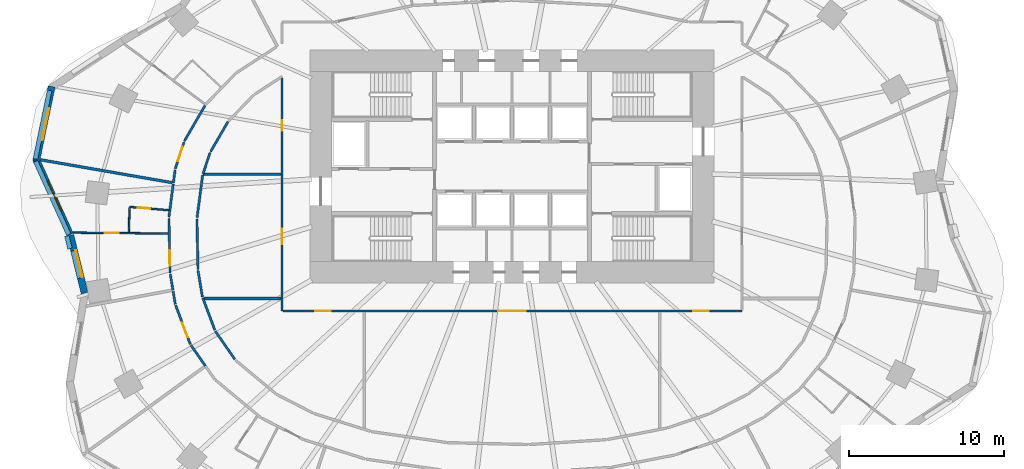
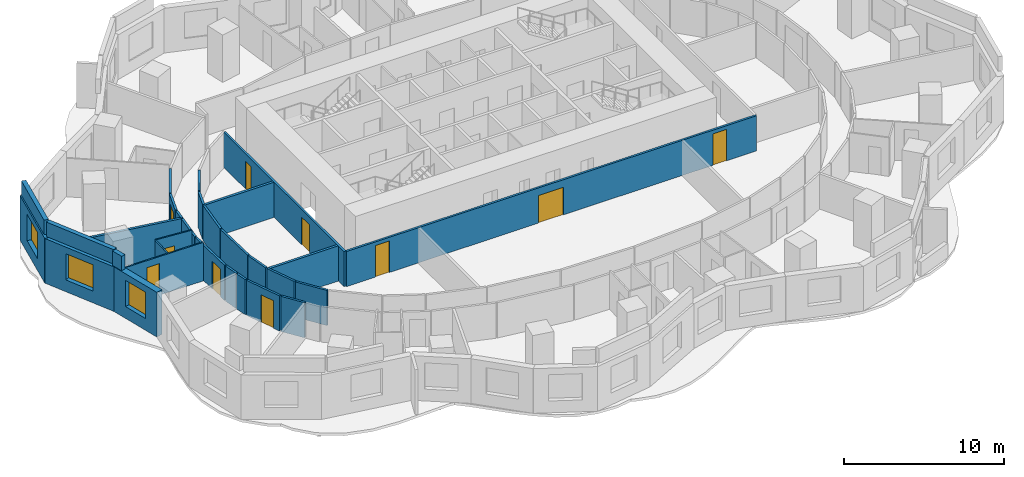
# One storey, part 4 of 11: 30 walls, 10 doors, 3 windows, 13 openings.
"""IFC4 building model written with IfcOpenShell, lengths in metres."""

from ifc_helpers import new_model, si_unit, direction, frame, frame_2d, origin, place, context, subcontext, project, spatial, rectangle, extrude, material, layer, layer_set, type_object, element, fill, save


model = new_model("IFC4")

# Units and contexts
model_context = context("Model", 3, precision=1e-05, world=origin(), true_north=direction((0.0, 1.0)))
body_context = subcontext(model_context, "Body", "Model", "MODEL_VIEW")
ifc_project = project(units=[si_unit("LENGTHUNIT", "METRE"), si_unit("AREAUNIT", "SQUARE_METRE"), si_unit("VOLUMEUNIT", "CUBIC_METRE"), si_unit("PLANEANGLEUNIT", "RADIAN"), si_unit("MASSUNIT", "GRAM", prefix="KILO")], contexts=[model_context])

# Site, building, storey
site_placement = place(None, origin())
site = spatial("IfcSite", under=ifc_project, at=site_placement, CompositionType="ELEMENT")
building_placement = place(site_placement, origin())
building = spatial("IfcBuilding", under=site, at=building_placement, Name="Rubra Terraces Tower", CompositionType="ELEMENT")
storey_placement = place(building_placement, frame((0.0, 0.0, 48.300048828125)))
storey = spatial("IfcBuildingStorey", under=building, at=storey_placement, Name="L09", CompositionType="ELEMENT", Elevation=48.300048828125)

# Walls
ifc_material_1 = material(Name="Twin plasterboard on staggered steel stud, acoustic mineral wool", Category="steel")
ifc_layer_1 = layer(ifc_material_1, 0.175048828125)
ifc_layer_set_1 = layer_set([ifc_layer_1], Name="Twin plasterboard on staggered steel stud, acoustic mineral wool")
wall_type_1 = type_object("IfcWallType", Name="ACOUSTIC PARTY WALL 175", PredefinedType="PARTITIONING", material=ifc_layer_set_1)
wall_1_placement = place(storey_placement, frame((-30.36572265625, 4.93603515625, 0.0), z_axis=(0.0, 0.0, 1.0), x_axis=(0.985210509232, -0.171348336728, 0.0)))
element("IfcWall", 1, at=wall_1_placement, inside=storey, type_object=wall_type_1, Name="PARTITION", PredefinedType="PARTITIONING", context=body_context, shape_type="SweptSolid", body=[
    extrude(rectangle(XDim=8.631591796875, YDim=0.175048828125, at=frame_2d((4.31591796875, 0.0))), origin(), (0.0, 0.0, 1.0), 2.679931640625),
])
wall_2_placement = place(storey_placement, frame((-19.89111328125, 4.0, 0.0), z_axis=(0.0, 0.0, 1.0), x_axis=(1.0, 0.0, 0.0)))
element("IfcWall", 2, at=wall_2_placement, inside=storey, type_object=wall_type_1, Name="PARTITION", PredefinedType="PARTITIONING", context=body_context, shape_type="SweptSolid", body=[
    extrude(rectangle(XDim=5.01611328125, YDim=0.175048828125, at=frame_2d((2.508056640625, 0.0))), origin(), (0.0, 0.0, 1.0), 2.679931640625),
])
wall_3_placement = place(storey_placement, frame((-19.805419921875, -4.0, 0.0), z_axis=(0.0, 0.0, 1.0), x_axis=(1.0, 0.0, 0.0)))
element("IfcWall", 3, at=wall_3_placement, inside=storey, type_object=wall_type_1, Name="PARTITION", PredefinedType="PARTITIONING", context=body_context, shape_type="SweptSolid", body=[
    extrude(rectangle(XDim=4.930419921875, YDim=0.175048828125, at=frame_2d((2.46533203125, 0.0))), origin(), (0.0, 0.0, 1.0), 2.679931640625),
])

# Wall, opening, window
ifc_material_2 = material(Name="Brick masonry red-brown", Category="masonry")
ifc_layer_2 = layer(ifc_material_2, 0.449951171875)
ifc_layer_set_2 = layer_set([ifc_layer_2], Name="Brick masonry red-brown")
wall_type_2 = type_object("IfcWallType", Name="Brick facade wall 450", PredefinedType="SOLIDWALL", material=ifc_layer_set_2)
wall_4_placement = place(storey_placement, frame((-29.62060546875, 9.650146484375, 0.0), z_axis=(0.0, 0.0, 1.0), x_axis=(-0.203505836306, -0.979073732969, 0.0)))
wall_4 = element("IfcWall", 4, at=wall_4_placement, inside=storey, type_object=wall_type_2, Name="Facade wall L09 bay 19", PredefinedType="SOLIDWALL", context=body_context, shape_type="SweptSolid", body=[
    extrude(rectangle(XDim=4.913818359375, YDim=0.449951171875, at=frame_2d((2.45703125, 0.0))), origin(), (0.0, 0.0, 1.0), 3.39990234375),
])
opening_1_placement = place(wall_4_placement, frame((1.406982421875, 0.0, 0.89990234375)))
opening_1 = element("IfcOpeningElement", 5, at=opening_1_placement, cuts=wall_4, Name="Opening W1", PredefinedType="OPENING", context=body_context, shape_type="SweptSolid", body=[
    extrude(rectangle(XDim=2.10009765625, YDim=2.0, at=frame_2d((1.050048828125, 1.0))), frame((0.0, 0.23486328125, 0.0), z_axis=(0.0, -1.0, 0.0), x_axis=(1.0, 0.0, 0.0)), (0.0, 0.0, 1.0), 0.469970703125),
])
ifc_material_3 = material(Name="Clear glass in aluminium frame", Category="aluminium")
window_type_1 = type_object("IfcWindowType", Name="Fixed deep-set window 2100 x 2000", PartitioningType="SINGLE_PANEL", PredefinedType="WINDOW", material=ifc_material_3)
window_1_placement = place(opening_1_placement, origin())
window_1 = element("IfcWindow", 6, at=window_1_placement, inside=storey, type_object=window_type_1, Name="Window L09 bay 19", OverallHeight=2.0, OverallWidth=2.10009765625, PartitioningType="SINGLE_PANEL", PredefinedType="WINDOW", context=body_context, shape_type="SweptSolid", body=[
    extrude(rectangle(XDim=2.10009765625, YDim=2.0, at=frame_2d((1.050048828125, 1.0))), frame((0.0, 0.135009765625, 0.0), z_axis=(0.0, -1.0, 0.0), x_axis=(1.0, 0.0, 0.0)), (0.0, 0.0, 1.0), 0.06005859375),
])
fill(opening_1, window_1)

wall_5_placement = place(storey_placement, frame((-30.633544921875, 4.972412109375, 0.0), z_axis=(0.0, 0.0, 1.0), x_axis=(0.412494644758, -0.910960025493, 0.0)))
wall_5 = element("IfcWall", 7, at=wall_5_placement, inside=storey, type_object=wall_type_2, Name="Facade wall L09 bay 20", PredefinedType="SOLIDWALL", context=body_context, shape_type="SweptSolid", body=[
    extrude(rectangle(XDim=5.330322265625, YDim=0.449951171875, at=frame_2d((2.6650390625, 0.0))), origin(), (0.0, 0.0, 1.0), 3.39990234375),
])
opening_2_placement = place(wall_5_placement, frame((1.615234375, 0.0, 0.89990234375)))
opening_2 = element("IfcOpeningElement", 8, at=opening_2_placement, cuts=wall_5, Name="Opening W1", PredefinedType="OPENING", context=body_context, shape_type="SweptSolid", body=[
    extrude(rectangle(XDim=2.10009765625, YDim=2.0, at=frame_2d((1.050048828125, 1.0))), frame((0.0, 0.23486328125, 0.0), z_axis=(0.0, -1.0, 0.0), x_axis=(1.0, 0.0, 0.0)), (0.0, 0.0, 1.0), 0.469970703125),
])
window_2_placement = place(opening_2_placement, origin())
window_2 = element("IfcWindow", 9, at=window_2_placement, inside=storey, type_object=window_type_1, Name="Window L09 bay 20", OverallHeight=2.0, OverallWidth=2.10009765625, PartitioningType="SINGLE_PANEL", PredefinedType="WINDOW", context=body_context, shape_type="SweptSolid", body=[
    extrude(rectangle(XDim=2.10009765625, YDim=2.0, at=frame_2d((1.050048828125, 1.0))), frame((0.0, 0.135009765625, 0.0), z_axis=(0.0, -1.0, 0.0), x_axis=(1.0, 0.0, 0.0)), (0.0, 0.0, 1.0), 0.06005859375),
])
fill(opening_2, window_2)

wall_6_placement = place(storey_placement, frame((-28.421875, 0.074951171875, 0.0), z_axis=(0.0, 0.0, 1.0), x_axis=(0.239809222807, -0.970820033094, 0.0)))
wall_6 = element("IfcWall", 10, at=wall_6_placement, inside=storey, type_object=wall_type_2, Name="Facade wall L09 bay 21", PredefinedType="SOLIDWALL", context=body_context, shape_type="SweptSolid", body=[
    extrude(rectangle(XDim=3.8359375, YDim=0.449951171875, at=frame_2d((1.91796875, 0.0))), origin(), (0.0, 0.0, 1.0), 3.39990234375),
])
opening_3_placement = place(wall_6_placement, frame((1.01806640625, 0.0, 0.89990234375)))
opening_3 = element("IfcOpeningElement", 11, at=opening_3_placement, cuts=wall_6, Name="Opening W6", PredefinedType="OPENING", context=body_context, shape_type="SweptSolid", body=[
    extrude(rectangle(XDim=1.800048828125, YDim=2.0, at=frame_2d((0.89990234375, 1.0))), frame((0.0, 0.23486328125, 0.0), z_axis=(0.0, -1.0, 0.0), x_axis=(1.0, 0.0, 0.0)), (0.0, 0.0, 1.0), 0.469970703125),
])
window_type_2 = type_object("IfcWindowType", Name="Fixed deep-set window at wind fin 1800 x 2000", PartitioningType="SINGLE_PANEL", PredefinedType="WINDOW", material=ifc_material_3)
window_3_placement = place(opening_3_placement, origin())
window_3 = element("IfcWindow", 12, at=window_3_placement, inside=storey, type_object=window_type_2, Name="Window L09 bay 21", OverallHeight=2.0, OverallWidth=1.800048828125, PartitioningType="SINGLE_PANEL", PredefinedType="WINDOW", context=body_context, shape_type="SweptSolid", body=[
    extrude(rectangle(XDim=1.800048828125, YDim=2.0, at=frame_2d((0.89990234375, 1.0))), frame((0.0, 0.135009765625, 0.0), z_axis=(0.0, -1.0, 0.0), x_axis=(1.0, 0.0, 0.0)), (0.0, 0.0, 1.0), 0.06005859375),
])
fill(opening_3, window_3)

# Walls
ifc_layer_3 = layer(ifc_material_2, 0.300048828125)
ifc_layer_set_3 = layer_set([ifc_layer_3], Name="Brick masonry red-brown")
wall_type_3 = type_object("IfcWallType", Name="Brick parapet 300", PredefinedType="PARAPET", material=ifc_layer_set_3)
wall_7_placement = place(storey_placement, frame((-29.75146484375, 9.389892578125, 3.599853515625), z_axis=(0.0, 0.0, 1.0), x_axis=(-0.203510555438, -0.97907275206, 0.0)))
element("IfcWall", 13, at=wall_7_placement, inside=storey, type_object=wall_type_3, Name="Parapet L09 bay 19", PredefinedType="PARAPET", context=body_context, shape_type="SweptSolid", body=[
    extrude(rectangle(XDim=4.504638671875, YDim=0.300048828125, at=frame_2d((2.25244140625, 0.0))), origin(), (0.0, 0.0, 1.0), 1.10009765625),
])
wall_8_placement = place(storey_placement, frame((-30.651611328125, 4.830322265625, 3.599853515625), z_axis=(0.0, 0.0, 1.0), x_axis=(0.412522333553, -0.910947487136, 0.0)))
element("IfcWall", 14, at=wall_8_placement, inside=storey, type_object=wall_type_3, Name="Parapet L09 bay 20", PredefinedType="PARAPET", context=body_context, shape_type="SweptSolid", body=[
    extrude(rectangle(XDim=5.172607421875, YDim=0.300048828125, at=frame_2d((2.58642578125, 0.0))), origin(), (0.0, 0.0, 1.0), 1.10009765625),
])
wall_9_placement = place(storey_placement, frame((-28.64208984375, 0.029296875, 3.599853515625), z_axis=(0.0, 0.0, 1.0), x_axis=(0.239775825721, -0.970828282138, 0.0)))
element("IfcWall", 15, at=wall_9_placement, inside=storey, type_object=wall_type_3, Name="Parapet L09 bay 21", PredefinedType="PARAPET", context=body_context, shape_type="SweptSolid", body=[
    extrude(rectangle(XDim=0.8330078125, YDim=0.300048828125, at=frame_2d((0.41650390625, 0.0))), origin(), (0.0, 0.0, 1.0), 1.10009765625),
])
ifc_material_4 = material(Name="Plasterboard on steel stud, mineral wool infill", Category="steel")
ifc_layer_4 = layer(ifc_material_4, 0.14990234375)
ifc_layer_set_4 = layer_set([ifc_layer_4], Name="Plasterboard on steel stud, mineral wool infill")
wall_type_4 = type_object("IfcWallType", Name="CORRIDOR PARTITION 150", PredefinedType="PARTITIONING", material=ifc_layer_set_4)
wall_10_placement = place(storey_placement, frame((-19.752685546875, 8.423095703125, 0.0), z_axis=(0.0, 0.0, 1.0), x_axis=(-0.502411766486, -0.864628484898, 0.0)))
element("IfcWall", 16, at=wall_10_placement, inside=storey, type_object=wall_type_4, Name="PARTITION", PredefinedType="PARTITIONING", context=body_context, shape_type="SweptSolid", body=[
    extrude(rectangle(XDim=2.6435546875, YDim=0.14990234375, at=frame_2d((1.32177734375, 0.0))), origin(), (0.0, 0.0, 1.0), 2.679931640625),
])

# Wall, opening, door
wall_11_placement = place(storey_placement, frame((-21.104248046875, 6.066162109375, 0.0), z_axis=(0.0, 0.0, 1.0), x_axis=(-0.313700743044, -0.949521902756, 0.0)))
wall_11 = element("IfcWall", 17, at=wall_11_placement, inside=storey, type_object=wall_type_4, Name="PARTITION", PredefinedType="PARTITIONING", context=body_context, shape_type="SweptSolid", body=[
    extrude(rectangle(XDim=1.7978515625, YDim=0.14990234375, at=frame_2d((0.89892578125, 0.0))), origin(), (0.0, 0.0, 1.0), 2.679931640625),
])
opening_4_placement = place(wall_11_placement, frame((0.300048828125, 0.0, 0.0)))
opening_4 = element("IfcOpeningElement", 18, at=opening_4_placement, cuts=wall_11, Name="Opening 09-109", PredefinedType="OPENING", context=body_context, shape_type="SweptSolid", body=[
    extrude(rectangle(XDim=1.0, YDim=2.10009765625, at=frame_2d((0.5, 1.050048828125))), frame((0.0, 0.0849609375, 0.0), z_axis=(0.0, -1.0, 0.0), x_axis=(1.0, 0.0, 0.0)), (0.0, 0.0, 1.0), 0.169921875),
])
ifc_material_5 = material(Name="Painted timber door leaf", Category="wood")
door_type_1 = type_object("IfcDoorType", Name="ROOM DOOR 1000 X 2100", OperationType="SINGLE_SWING_LEFT", PredefinedType="DOOR", material=ifc_material_5)
door_1_placement = place(opening_4_placement, origin())
door_1 = element("IfcDoor", 19, at=door_1_placement, inside=storey, type_object=door_type_1, Name="DOOR 09-109", OperationType="SINGLE_SWING_RIGHT", OverallHeight=2.10009765625, OverallWidth=1.0, PredefinedType="DOOR", context=body_context, shape_type="SweptSolid", body=[
    extrude(rectangle(XDim=1.0, YDim=2.10009765625, at=frame_2d((0.5, 1.050048828125))), frame((0.0, 0.02490234375, 0.0), z_axis=(0.0, -1.0, 0.0), x_axis=(1.0, 0.0, 0.0)), (0.0, 0.0, 1.0), 0.050048828125),
])
fill(opening_4, door_1)

# Walls
wall_12_placement = place(storey_placement, frame((-21.677978515625, 4.28466796875, 0.0), z_axis=(0.0, 0.0, 1.0), x_axis=(-0.129917972145, -0.991524745286, 0.0)))
element("IfcWall", 20, at=wall_12_placement, inside=storey, type_object=wall_type_4, Name="PARTITION", PredefinedType="PARTITIONING", context=body_context, shape_type="SweptSolid", body=[
    extrude(rectangle(XDim=0.847412109375, YDim=0.14990234375, at=frame_2d((0.423828125, 0.0))), origin(), (0.0, 0.0, 1.0), 2.679931640625),
])
wall_13_placement = place(storey_placement, frame((-21.797607421875, 3.369873046875, 0.0), z_axis=(0.0, 0.0, 1.0), x_axis=(-0.130032209746, -0.991509770213, 0.0)))
element("IfcWall", 21, at=wall_13_placement, inside=storey, type_object=wall_type_4, Name="PARTITION", PredefinedType="PARTITIONING", context=body_context, shape_type="SweptSolid", body=[
    extrude(rectangle(XDim=2.153564453125, YDim=0.14990234375, at=frame_2d((1.07666015625, 0.0))), origin(), (0.0, 0.0, 1.0), 2.679931640625),
])

# Wall, opening, door
wall_14_placement = place(storey_placement, frame((-22.075927734375, 1.15966796875, 0.0), z_axis=(0.0, 0.0, 1.0), x_axis=(0.021172866829, -0.999775829729, 0.0)))
wall_14 = element("IfcWall", 22, at=wall_14_placement, inside=storey, type_object=wall_type_4, Name="PARTITION", PredefinedType="PARTITIONING", context=body_context, shape_type="SweptSolid", body=[
    extrude(rectangle(XDim=3.516845703125, YDim=0.14990234375, at=frame_2d((1.75830078125, 0.0))), origin(), (0.0, 0.0, 1.0), 2.679931640625),
])
opening_5_placement = place(wall_14_placement, frame((2.050048828125, 0.0, 0.0)))
opening_5 = element("IfcOpeningElement", 23, at=opening_5_placement, cuts=wall_14, Name="Opening 09-112", PredefinedType="OPENING", context=body_context, shape_type="SweptSolid", body=[
    extrude(rectangle(XDim=1.0, YDim=2.10009765625, at=frame_2d((0.5, 1.050048828125))), frame((0.0, 0.0849609375, 0.0), z_axis=(0.0, -1.0, 0.0), x_axis=(1.0, 0.0, 0.0)), (0.0, 0.0, 1.0), 0.169921875),
])
door_2_placement = place(opening_5_placement, origin())
door_2 = element("IfcDoor", 24, at=door_2_placement, inside=storey, type_object=door_type_1, Name="DOOR 09-112", OperationType="SINGLE_SWING_RIGHT", OverallHeight=2.10009765625, OverallWidth=1.0, PredefinedType="DOOR", context=body_context, shape_type="SweptSolid", body=[
    extrude(rectangle(XDim=1.0, YDim=2.10009765625, at=frame_2d((0.5, 1.050048828125))), frame((0.0, 0.02490234375, 0.0), z_axis=(0.0, -1.0, 0.0), x_axis=(1.0, 0.0, 0.0)), (0.0, 0.0, 1.0), 0.050048828125),
])
fill(opening_5, door_2)

# Walls
wall_15_placement = place(storey_placement, frame((-21.9892578125, -2.430419921875, 0.0), z_axis=(0.0, 0.0, 1.0), x_axis=(0.164170791844, -0.986431929281, 0.0)))
element("IfcWall", 25, at=wall_15_placement, inside=storey, type_object=wall_type_4, Name="PARTITION", PredefinedType="PARTITIONING", context=body_context, shape_type="SweptSolid", body=[
    extrude(rectangle(XDim=1.041015625, YDim=0.14990234375, at=frame_2d((0.5205078125, 0.0))), origin(), (0.0, 0.0, 1.0), 2.679931640625),
])
wall_16_placement = place(storey_placement, frame((-21.805908203125, -3.53125, 0.0), z_axis=(0.0, 0.0, 1.0), x_axis=(0.164068764938, -0.986448904086, 0.0)))
element("IfcWall", 26, at=wall_16_placement, inside=storey, type_object=wall_type_4, Name="PARTITION", PredefinedType="PARTITIONING", context=body_context, shape_type="SweptSolid", body=[
    extrude(rectangle(XDim=0.83935546875, YDim=0.14990234375, at=frame_2d((0.419677734375, 0.0))), origin(), (0.0, 0.0, 1.0), 2.679931640625),
])

# Wall, opening, door
wall_17_placement = place(storey_placement, frame((-21.641845703125, -4.42919921875, 0.0), z_axis=(0.0, 0.0, 1.0), x_axis=(0.350963719781, -0.936389057709, 0.0)))
wall_17 = element("IfcWall", 27, at=wall_17_placement, inside=storey, type_object=wall_type_4, Name="PARTITION", PredefinedType="PARTITIONING", context=body_context, shape_type="SweptSolid", body=[
    extrude(rectangle(XDim=2.68017578125, YDim=0.14990234375, at=frame_2d((1.340087890625, 0.0))), origin(), (0.0, 0.0, 1.0), 2.679931640625),
])
opening_6_placement = place(wall_17_placement, frame((1.198974609375, 0.0, 0.0)))
opening_6 = element("IfcOpeningElement", 28, at=opening_6_placement, cuts=wall_17, Name="Opening 09-113", PredefinedType="OPENING", context=body_context, shape_type="SweptSolid", body=[
    extrude(rectangle(XDim=1.0, YDim=2.10009765625, at=frame_2d((0.5, 1.050048828125))), frame((0.0, 0.0849609375, 0.0), z_axis=(0.0, -1.0, 0.0), x_axis=(1.0, 0.0, 0.0)), (0.0, 0.0, 1.0), 0.169921875),
])
door_3_placement = place(opening_6_placement, origin())
door_3 = element("IfcDoor", 29, at=door_3_placement, inside=storey, type_object=door_type_1, Name="DOOR 09-113", OperationType="SINGLE_SWING_RIGHT", OverallHeight=2.10009765625, OverallWidth=1.0, PredefinedType="DOOR", context=body_context, shape_type="SweptSolid", body=[
    extrude(rectangle(XDim=1.0, YDim=2.10009765625, at=frame_2d((0.5, 1.050048828125))), frame((0.0, 0.02490234375, 0.0), z_axis=(0.0, -1.0, 0.0), x_axis=(1.0, 0.0, 0.0)), (0.0, 0.0, 1.0), 0.050048828125),
])
fill(opening_6, door_3)

# Walls
wall_18_placement = place(storey_placement, frame((-20.658203125, -7.00048828125, 0.0), z_axis=(0.0, 0.0, 1.0), x_axis=(0.571252828516, -0.820774150368, 0.0)))
element("IfcWall", 30, at=wall_18_placement, inside=storey, type_object=wall_type_4, Name="PARTITION", PredefinedType="PARTITIONING", context=body_context, shape_type="SweptSolid", body=[
    extrude(rectangle(XDim=1.633056640625, YDim=0.14990234375, at=frame_2d((0.81640625, 0.0))), origin(), (0.0, 0.0, 1.0), 2.679931640625),
])
wall_19_placement = place(storey_placement, frame((-19.92138671875, -3.89111328125, 0.0), z_axis=(0.0, 0.0, 1.0), x_axis=(-0.164100753818, 0.986443583078, 0.0)))
element("IfcWall", 31, at=wall_19_placement, inside=storey, type_object=wall_type_4, Name="PARTITION", PredefinedType="PARTITIONING", context=body_context, shape_type="SweptSolid", body=[
    extrude(rectangle(XDim=1.725830078125, YDim=0.14990234375, at=frame_2d((0.86279296875, 0.0))), origin(), (0.0, 0.0, 1.0), 2.679931640625),
])
wall_20_placement = place(storey_placement, frame((-20.206298828125, -2.11376953125, 0.0), z_axis=(0.0, 0.0, 1.0), x_axis=(-0.021179142616, 0.999775696803, 0.0)))
element("IfcWall", 32, at=wall_20_placement, inside=storey, type_object=wall_type_4, Name="PARTITION", PredefinedType="PARTITIONING", context=body_context, shape_type="SweptSolid", body=[
    extrude(rectangle(XDim=3.250732421875, YDim=0.14990234375, at=frame_2d((1.62548828125, 0.0))), origin(), (0.0, 0.0, 1.0), 2.679931640625),
])
wall_21_placement = place(storey_placement, frame((-20.265380859375, 1.210693359375, 0.0), z_axis=(0.0, 0.0, 1.0), x_axis=(0.129957307165, 0.991519590484, 0.0)))
element("IfcWall", 33, at=wall_21_placement, inside=storey, type_object=wall_type_4, Name="PARTITION", PredefinedType="PARTITIONING", context=body_context, shape_type="SweptSolid", body=[
    extrude(rectangle(XDim=2.76904296875, YDim=0.14990234375, at=frame_2d((1.384521484375, 0.0))), origin(), (0.0, 0.0, 1.0), 2.679931640625),
])
wall_22_placement = place(storey_placement, frame((-19.882080078125, 4.027587890625, 0.0), z_axis=(0.0, 0.0, 1.0), x_axis=(0.313632756375, 0.949544361327, 0.0)))
element("IfcWall", 34, at=wall_22_placement, inside=storey, type_object=wall_type_4, Name="PARTITION", PredefinedType="PARTITIONING", context=body_context, shape_type="SweptSolid", body=[
    extrude(rectangle(XDim=1.440185546875, YDim=0.14990234375, at=frame_2d((0.72021484375, 0.0))), origin(), (0.0, 0.0, 1.0), 2.679931640625),
])
wall_23_placement = place(storey_placement, frame((-19.392578125, 5.459716796875, 0.0), z_axis=(0.0, 0.0, 1.0), x_axis=(0.502296094562, 0.864695688314, 0.0)))
element("IfcWall", 35, at=wall_23_placement, inside=storey, type_object=wall_type_4, Name="PARTITION", PredefinedType="PARTITIONING", context=body_context, shape_type="SweptSolid", body=[
    extrude(rectangle(XDim=2.2373046875, YDim=0.14990234375, at=frame_2d((1.11865234375, 0.0))), origin(), (0.0, 0.0, 1.0), 2.679931640625),
])

# Wall, openings, doors
wall_24_placement = place(storey_placement, frame((-14.800048828125, 10.2080078125, 0.0), z_axis=(0.0, 0.0, 1.0), x_axis=(0.0, -1.0, 0.0)))
wall_24 = element("IfcWall", 36, at=wall_24_placement, inside=storey, type_object=wall_type_4, Name="PARTITION", PredefinedType="PARTITIONING", context=body_context, shape_type="SweptSolid", body=[
    extrude(rectangle(XDim=15.008056640625, YDim=0.14990234375, at=frame_2d((7.50390625, 0.0))), origin(), (0.0, 0.0, 1.0), 2.679931640625),
])
opening_7_placement = place(wall_24_placement, frame((2.717041015625, 0.0, 0.0)))
opening_7 = element("IfcOpeningElement", 37, at=opening_7_placement, cuts=wall_24, Name="Opening 09-130", PredefinedType="OPENING", context=body_context, shape_type="SweptSolid", body=[
    extrude(rectangle(XDim=0.699951171875, YDim=2.10009765625, at=frame_2d((0.35009765625, 1.050048828125))), frame((0.0, 0.0849609375, 0.0), z_axis=(0.0, -1.0, 0.0), x_axis=(1.0, 0.0, 0.0)), (0.0, 0.0, 1.0), 0.169921875),
])
opening_8_placement = place(wall_24_placement, frame((9.7080078125, 0.0, 0.0)))
opening_8 = element("IfcOpeningElement", 38, at=opening_8_placement, cuts=wall_24, Name="Opening 09-131", PredefinedType="OPENING", context=body_context, shape_type="SweptSolid", body=[
    extrude(rectangle(XDim=1.0, YDim=2.10009765625, at=frame_2d((0.5, 1.050048828125))), frame((0.0, 0.0849609375, 0.0), z_axis=(0.0, -1.0, 0.0), x_axis=(1.0, 0.0, 0.0)), (0.0, 0.0, 1.0), 0.169921875),
])
door_4_placement = place(opening_8_placement, origin())
door_4 = element("IfcDoor", 39, at=door_4_placement, inside=storey, type_object=door_type_1, Name="DOOR 09-131", OperationType="SINGLE_SWING_RIGHT", OverallHeight=2.10009765625, OverallWidth=1.0, PredefinedType="DOOR", context=body_context, shape_type="SweptSolid", body=[
    extrude(rectangle(XDim=1.0, YDim=2.10009765625, at=frame_2d((0.5, 1.050048828125))), frame((0.0, 0.02490234375, 0.0), z_axis=(0.0, -1.0, 0.0), x_axis=(1.0, 0.0, 0.0)), (0.0, 0.0, 1.0), 0.050048828125),
])
fill(opening_8, door_4)
door_type_2 = type_object("IfcDoorType", Name="STORE DOOR 700 X 2100", OperationType="SINGLE_SWING_LEFT", PredefinedType="DOOR", material=ifc_material_5)
door_5_placement = place(opening_7_placement, origin())
door_5 = element("IfcDoor", 40, at=door_5_placement, inside=storey, type_object=door_type_2, Name="DOOR 09-130", OperationType="SINGLE_SWING_RIGHT", OverallHeight=2.10009765625, OverallWidth=0.699951171875, PredefinedType="DOOR", context=body_context, shape_type="SweptSolid", body=[
    extrude(rectangle(XDim=0.699951171875, YDim=2.10009765625, at=frame_2d((0.35009765625, 1.050048828125))), frame((0.0, 0.02490234375, 0.0), z_axis=(0.0, -1.0, 0.0), x_axis=(1.0, 0.0, 0.0)), (0.0, 0.0, 1.0), 0.050048828125),
])
fill(opening_7, door_5)

wall_25_placement = place(storey_placement, frame((-14.72509765625, -4.800048828125, 0.0), z_axis=(0.0, 0.0, 1.0), x_axis=(1.0, 0.0, 0.0)))
wall_25 = element("IfcWall", 41, at=wall_25_placement, inside=storey, type_object=wall_type_4, Name="PARTITION", PredefinedType="PARTITIONING", context=body_context, shape_type="SweptSolid", body=[
    extrude(rectangle(XDim=29.525146484375, YDim=0.14990234375, at=frame_2d((14.7626953125, 0.0))), origin(), (0.0, 0.0, 1.0), 2.679931640625),
])
opening_9_placement = place(wall_25_placement, frame((2.074951171875, 0.0, 0.0)))
opening_9 = element("IfcOpeningElement", 42, at=opening_9_placement, cuts=wall_25, Name="Opening 09-132", PredefinedType="OPENING", context=body_context, shape_type="SweptSolid", body=[
    extrude(rectangle(XDim=1.0, YDim=2.39990234375, at=frame_2d((0.5, 1.199951171875))), frame((0.0, 0.0849609375, 0.0), z_axis=(0.0, -1.0, 0.0), x_axis=(1.0, 0.0, 0.0)), (0.0, 0.0, 1.0), 0.169921875),
])
opening_10_placement = place(wall_25_placement, frame((13.824951171875, 0.0, 0.0)))
opening_10 = element("IfcOpeningElement", 43, at=opening_10_placement, cuts=wall_25, Name="Opening 09-133", PredefinedType="OPENING", context=body_context, shape_type="SweptSolid", body=[
    extrude(rectangle(XDim=1.800048828125, YDim=2.10009765625, at=frame_2d((0.89990234375, 1.050048828125))), frame((0.0, 0.0849609375, 0.0), z_axis=(0.0, -1.0, 0.0), x_axis=(1.0, 0.0, 0.0)), (0.0, 0.0, 1.0), 0.169921875),
])
opening_11_placement = place(wall_25_placement, frame((26.375, 0.0, 0.0)))
opening_11 = element("IfcOpeningElement", 44, at=opening_11_placement, cuts=wall_25, Name="Opening 09-134", PredefinedType="OPENING", context=body_context, shape_type="SweptSolid", body=[
    extrude(rectangle(XDim=1.0, YDim=2.39990234375, at=frame_2d((0.5, 1.199951171875))), frame((0.0, 0.0849609375, 0.0), z_axis=(0.0, -1.0, 0.0), x_axis=(1.0, 0.0, 0.0)), (0.0, 0.0, 1.0), 0.169921875),
])
ifc_material_6 = material(Name="Glazed aluminium meeting door leaf", Category="aluminium")
door_type_3 = type_object("IfcDoorType", Name="MEETING ROOM GLAZED DOOR 1000 X 2400", OperationType="SINGLE_SWING_LEFT", PredefinedType="DOOR", material=ifc_material_6)
door_6_placement = place(opening_9_placement, origin())
door_6 = element("IfcDoor", 45, at=door_6_placement, inside=storey, type_object=door_type_3, Name="DOOR 09-132", OperationType="SINGLE_SWING_RIGHT", OverallHeight=2.39990234375, OverallWidth=1.0, PredefinedType="DOOR", context=body_context, shape_type="SweptSolid", body=[
    extrude(rectangle(XDim=1.0, YDim=2.39990234375, at=frame_2d((0.5, 1.199951171875))), frame((0.0, 0.02490234375, 0.0), z_axis=(0.0, -1.0, 0.0), x_axis=(1.0, 0.0, 0.0)), (0.0, 0.0, 1.0), 0.050048828125),
])
fill(opening_9, door_6)
door_7_placement = place(opening_11_placement, origin())
door_7 = element("IfcDoor", 46, at=door_7_placement, inside=storey, type_object=door_type_3, Name="DOOR 09-134", OperationType="SINGLE_SWING_RIGHT", OverallHeight=2.39990234375, OverallWidth=1.0, PredefinedType="DOOR", context=body_context, shape_type="SweptSolid", body=[
    extrude(rectangle(XDim=1.0, YDim=2.39990234375, at=frame_2d((0.5, 1.199951171875))), frame((0.0, 0.02490234375, 0.0), z_axis=(0.0, -1.0, 0.0), x_axis=(1.0, 0.0, 0.0)), (0.0, 0.0, 1.0), 0.050048828125),
])
fill(opening_11, door_7)
ifc_material_7 = material(Name="Painted timber door leaf, double", Category="wood")
door_type_4 = type_object("IfcDoorType", Name="ROOM DOUBLE DOOR 1800 X 2100", OperationType="DOUBLE_DOOR_SINGLE_SWING", PredefinedType="DOOR", material=ifc_material_7)
door_8_placement = place(opening_10_placement, origin())
door_8 = element("IfcDoor", 47, at=door_8_placement, inside=storey, type_object=door_type_4, Name="DOOR 09-133", OperationType="DOUBLE_DOOR_SINGLE_SWING", OverallHeight=2.10009765625, OverallWidth=1.800048828125, PredefinedType="DOOR", context=body_context, shape_type="SweptSolid", body=[
    extrude(rectangle(XDim=1.800048828125, YDim=2.10009765625, at=frame_2d((0.89990234375, 1.050048828125))), frame((0.0, 0.02490234375, 0.0), z_axis=(0.0, -1.0, 0.0), x_axis=(1.0, 0.0, 0.0)), (0.0, 0.0, 1.0), 0.050048828125),
])
fill(opening_10, door_8)

# Walls
wall_26_placement = place(storey_placement, frame((-17.83642578125, -7.903564453125, 0.0), z_axis=(0.0, 0.0, 1.0), x_axis=(-0.571317790711, 0.820728933338, 0.0)))
element("IfcWall", 48, at=wall_26_placement, inside=storey, type_object=wall_type_4, Name="PARTITION", PredefinedType="PARTITIONING", context=body_context, shape_type="SweptSolid", body=[
    extrude(rectangle(XDim=2.202392578125, YDim=0.14990234375, at=frame_2d((1.10107421875, 0.0))), origin(), (0.0, 0.0, 1.0), 2.679931640625),
])
wall_27_placement = place(storey_placement, frame((-19.12109375, -6.025634765625, 0.0), z_axis=(0.0, 0.0, 1.0), x_axis=(-0.351026357955, 0.936365578191, 0.0)))
element("IfcWall", 49, at=wall_27_placement, inside=storey, type_object=wall_type_4, Name="PARTITION", PredefinedType="PARTITIONING", context=body_context, shape_type="SweptSolid", body=[
    extrude(rectangle(XDim=2.204833984375, YDim=0.14990234375, at=frame_2d((1.1025390625, 0.0))), origin(), (0.0, 0.0, 1.0), 2.679931640625),
])

# Wall, opening, door
ifc_material_8 = material(Name="Plasterboard on steel stud", Category="steel")
ifc_layer_5 = layer(ifc_material_8, 0.10009765625)
ifc_layer_set_5 = layer_set([ifc_layer_5], Name="Plasterboard on steel stud")
wall_type_5 = type_object("IfcWallType", Name="ROOM PARTITION 100", PredefinedType="PARTITIONING", material=ifc_layer_set_5)
wall_28_placement = place(storey_placement, frame((-28.245361328125, 0.243408203125, 0.0), z_axis=(0.0, 0.0, 1.0), x_axis=(0.999955988555, -0.00938194823, 0.0)))
wall_28 = element("IfcWall", 50, at=wall_28_placement, inside=storey, type_object=wall_type_5, Name="PARTITION", PredefinedType="PARTITIONING", context=body_context, shape_type="SweptSolid", body=[
    extrude(rectangle(XDim=6.115234375, YDim=0.10009765625, at=frame_2d((3.0576171875, 0.0))), origin(), (0.0, 0.0, 1.0), 2.933837890625),
])
opening_12_placement = place(wall_28_placement, frame((2.0400390625, 0.0, 0.0)))
opening_12 = element("IfcOpeningElement", 51, at=opening_12_placement, cuts=wall_28, Name="Opening 09-111", PredefinedType="OPENING", context=body_context, shape_type="SweptSolid", body=[
    extrude(rectangle(XDim=0.89990234375, YDim=2.39990234375, at=frame_2d((0.449951171875, 1.199951171875))), frame((0.0, 0.06005859375, 0.0), z_axis=(0.0, -1.0, 0.0), x_axis=(1.0, 0.0, 0.0)), (0.0, 0.0, 1.0), 0.1201171875),
])
ifc_material_9 = material(Name="Veneered timber door leaf, fire-rated", Category="wood")
door_type_5 = type_object("IfcDoorType", Name="SUITE ENTRANCE DOOR 900 X 2400", OperationType="SINGLE_SWING_LEFT", PredefinedType="DOOR", material=ifc_material_9)
door_9_placement = place(opening_12_placement, origin())
door_9 = element("IfcDoor", 52, at=door_9_placement, inside=storey, type_object=door_type_5, Name="DOOR 09-111", OperationType="SINGLE_SWING_LEFT", OverallHeight=2.39990234375, OverallWidth=0.89990234375, PredefinedType="DOOR", context=body_context, shape_type="SweptSolid", body=[
    extrude(rectangle(XDim=0.89990234375, YDim=2.39990234375, at=frame_2d((0.449951171875, 1.199951171875))), frame((0.0, 0.02490234375, 0.0), z_axis=(0.0, -1.0, 0.0), x_axis=(1.0, 0.0, 0.0)), (0.0, 0.0, 1.0), 0.050048828125),
])
fill(opening_12, door_9)

wall_29_placement = place(storey_placement, frame((-22.09375, 1.6875, 0.0), z_axis=(0.0, 0.0, 1.0), x_axis=(-0.996480101065, 0.083829637844, 0.0)))
wall_29 = element("IfcWall", 53, at=wall_29_placement, inside=storey, type_object=wall_type_5, Name="PARTITION", PredefinedType="PARTITIONING", context=body_context, shape_type="SweptSolid", body=[
    extrude(rectangle(XDim=2.52490234375, YDim=0.10009765625, at=frame_2d((1.262451171875, 0.0))), origin(), (0.0, 0.0, 1.0), 2.933837890625),
])
opening_13_placement = place(wall_29_placement, frame((1.199951171875, 0.0, 0.0)))
opening_13 = element("IfcOpeningElement", 54, at=opening_13_placement, cuts=wall_29, Name="Opening 09-110", PredefinedType="OPENING", context=body_context, shape_type="SweptSolid", body=[
    extrude(rectangle(XDim=0.800048828125, YDim=2.10009765625, at=frame_2d((0.39990234375, 1.050048828125))), frame((0.0, 0.06005859375, 0.0), z_axis=(0.0, -1.0, 0.0), x_axis=(1.0, 0.0, 0.0)), (0.0, 0.0, 1.0), 0.1201171875),
])
door_type_6 = type_object("IfcDoorType", Name="BATHROOM DOOR 800 X 2100", OperationType="SINGLE_SWING_LEFT", PredefinedType="DOOR", material=ifc_material_5)
door_10_placement = place(opening_13_placement, origin())
door_10 = element("IfcDoor", 55, at=door_10_placement, inside=storey, type_object=door_type_6, Name="DOOR 09-110", OperationType="SINGLE_SWING_LEFT", OverallHeight=2.10009765625, OverallWidth=0.800048828125, PredefinedType="DOOR", context=body_context, shape_type="SweptSolid", body=[
    extrude(rectangle(XDim=0.800048828125, YDim=2.10009765625, at=frame_2d((0.39990234375, 1.050048828125))), frame((0.0, 0.02490234375, 0.0), z_axis=(0.0, -1.0, 0.0), x_axis=(1.0, 0.0, 0.0)), (0.0, 0.0, 1.0), 0.050048828125),
])
fill(opening_13, door_10)

# Wall
wall_30_placement = place(storey_placement, frame((-24.611083984375, 1.84912109375, 0.0), z_axis=(0.0, 0.0, 1.0), x_axis=(-0.026872012964, -0.999638882257, 0.0)))
element("IfcWall", 56, at=wall_30_placement, inside=storey, type_object=wall_type_5, Name="PARTITION", PredefinedType="PARTITIONING", context=body_context, shape_type="SweptSolid", body=[
    extrude(rectangle(XDim=1.58984375, YDim=0.10009765625, at=frame_2d((0.794921875, 0.0))), origin(), (0.0, 0.0, 1.0), 2.933837890625),
])

save(model, "model.ifc")
